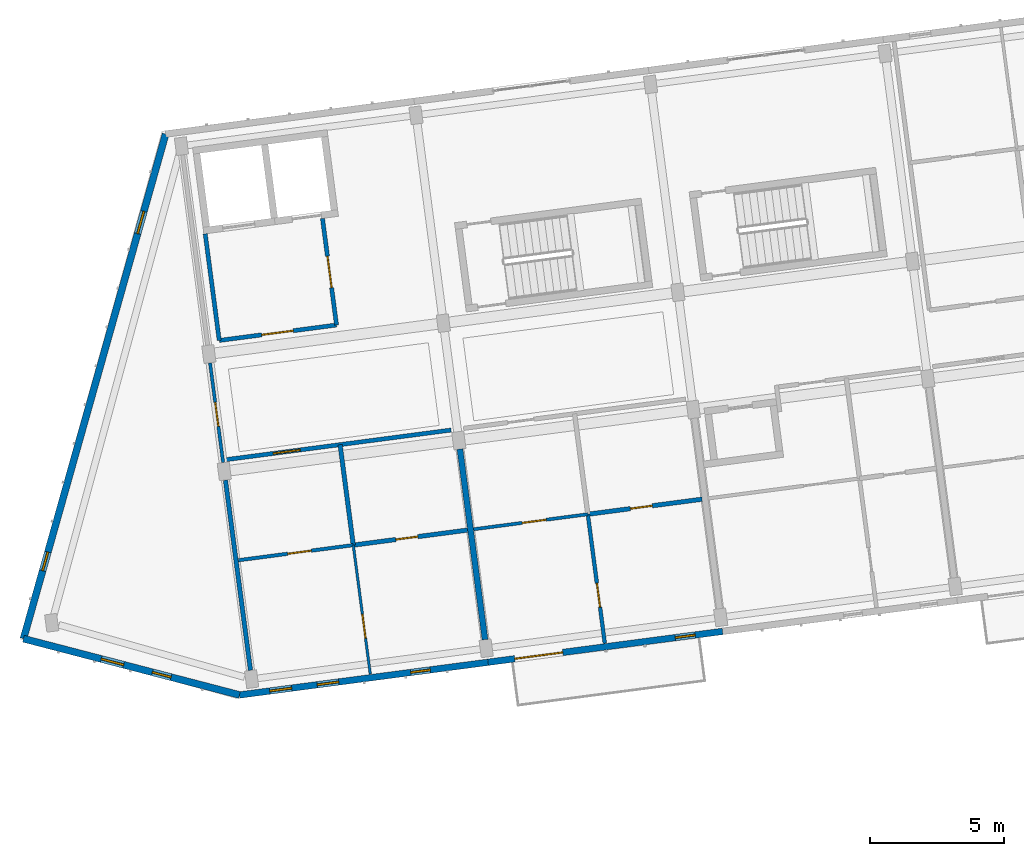
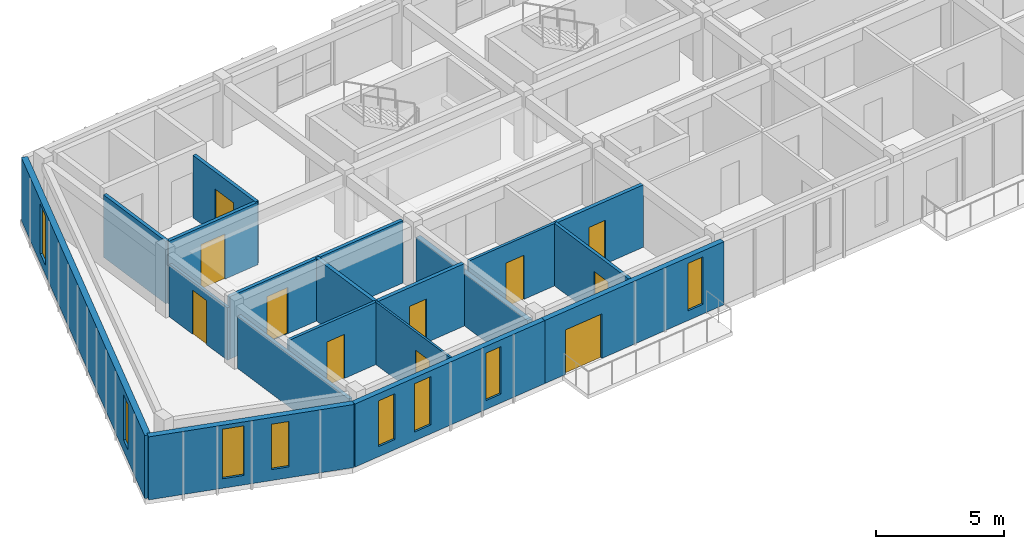
# One storey, part 18 of 45: 18 walls, 11 doors, 8 windows, 19 openings.
"""IFC4 building model written with IfcOpenShell, lengths in metres."""

from ifc_helpers import new_model, si_unit, direction, frame, frame_2d, origin, place, context, subcontext, project, spatial, rectangle, extrude, material, layer, layer_set, type_object, element, fill, save


model = new_model("IFC4")

# Units and contexts
model_context = context("Model", 3, precision=1e-05, world=origin(), true_north=direction((0.0, 1.0)))
body_context = subcontext(model_context, "Body", "Model", "MODEL_VIEW")
ifc_project = project(units=[si_unit("LENGTHUNIT", "METRE"), si_unit("AREAUNIT", "SQUARE_METRE"), si_unit("VOLUMEUNIT", "CUBIC_METRE"), si_unit("PLANEANGLEUNIT", "RADIAN"), si_unit("MASSUNIT", "GRAM", prefix="KILO")], contexts=[model_context])

# Site, building, storey
site_placement = place(None, origin())
site = spatial("IfcSite", under=ifc_project, at=site_placement, CompositionType="ELEMENT")
building_placement = place(site_placement, origin())
building = spatial("IfcBuilding", under=site, at=building_placement, Name="Kestramere Prow Commons", CompositionType="ELEMENT")
storey_placement = place(building_placement, frame((0.0, 0.0, 31.14990234375)))
storey = spatial("IfcBuildingStorey", under=building, at=storey_placement, Name="L09", CompositionType="ELEMENT", Elevation=31.14990234375)

# Wall, openings, windows
ifc_material_1 = material(Name="Weathered Zinc-Titanium Standing-Seam Cladding")
ifc_layer_1 = layer(ifc_material_1, 0.260009765625)
ifc_layer_set_1 = layer_set([ifc_layer_1], Name="Weathered Zinc-Titanium Standing-Seam Cladding")
wall_type_1 = type_object("IfcWallType", Name="EW-PROW-260", PredefinedType="SOLIDWALL", material=ifc_layer_set_1)
wall_1_placement = place(storey_placement, frame((10.748046875, 71.410888671875, 0.0), z_axis=(0.0, 0.0, 1.0), x_axis=(-0.967694955113, 0.252123925577, 0.0)))
wall_1 = element("IfcWall", 1, at=wall_1_placement, inside=storey, type_object=wall_type_1, Name="Block A L09 PRW-S Facet Wall", PredefinedType="SOLIDWALL", context=body_context, shape_type="SweptSolid", body=[
    extrude(rectangle(XDim=8.305419921875, YDim=0.260009765625, at=frame_2d((4.15283203125, 0.0))), origin(), (0.0, 0.0, 1.0), 3.0),
])
opening_1_placement = place(wall_1_placement, frame((2.6298828125, 0.0, 0.52001953125)))
opening_1 = element("IfcOpeningElement", 2, at=opening_1_placement, cuts=wall_1, Name="Opening WN-08", PredefinedType="OPENING", context=body_context, shape_type="SweptSolid", body=[
    extrude(rectangle(XDim=0.719970703125, YDim=2.159912109375, at=frame_2d((0.35986328125, 1.080078125))), frame((0.0, 0.14501953125, 0.0), z_axis=(0.0, -1.0, 0.0), x_axis=(1.0, 0.0, 0.0)), (0.0, 0.0, 1.0), 0.2900390625),
])
opening_2_placement = place(wall_1_placement, frame((4.455322265625, 0.0, 0.449951171875)))
opening_2 = element("IfcOpeningElement", 3, at=opening_2_placement, cuts=wall_1, Name="Opening WN-15", PredefinedType="OPENING", context=body_context, shape_type="SweptSolid", body=[
    extrude(rectangle(XDim=0.860107421875, YDim=2.360107421875, at=frame_2d((0.43017578125, 1.18017578125))), frame((0.0, 0.14501953125, 0.0), z_axis=(0.0, -1.0, 0.0), x_axis=(1.0, 0.0, 0.0)), (0.0, 0.0, 1.0), 0.2900390625),
])
ifc_material_2 = material(Name="Low-E Laminated Double Glazing", Category="glass")
window_type_1 = type_object("IfcWindowType", Name="WN-NAR-720A", PartitioningType="SINGLE_PANEL", PredefinedType="WINDOW", material=ifc_material_2)
window_1_placement = place(opening_1_placement, origin())
window_1 = element("IfcWindow", 4, at=window_1_placement, inside=storey, type_object=window_type_1, Name="WN-A-L09-PRW-S-0", OverallHeight=2.159912109375, OverallWidth=0.719970703125, PartitioningType="SINGLE_PANEL", PredefinedType="WINDOW", context=body_context, shape_type="SweptSolid", body=[
    extrude(rectangle(XDim=0.719970703125, YDim=2.159912109375, at=frame_2d((0.35986328125, 1.080078125))), frame((0.0, 0.030029296875, 0.0), z_axis=(0.0, -1.0, 0.0), x_axis=(1.0, 0.0, 0.0)), (0.0, 0.0, 1.0), 0.06005859375),
])
fill(opening_1, window_1)
window_type_2 = type_object("IfcWindowType", Name="WN-NAR-860A", PartitioningType="DOUBLE_PANEL_VERTICAL", PredefinedType="WINDOW", material=ifc_material_2)
window_2_placement = place(opening_2_placement, origin())
window_2 = element("IfcWindow", 5, at=window_2_placement, inside=storey, type_object=window_type_2, Name="WN-A-L09-PRW-S-1", OverallHeight=2.360107421875, OverallWidth=0.860107421875, PartitioningType="SINGLE_PANEL", PredefinedType="WINDOW", context=body_context, shape_type="SweptSolid", body=[
    extrude(rectangle(XDim=0.860107421875, YDim=2.360107421875, at=frame_2d((0.43017578125, 1.18017578125))), frame((0.0, 0.030029296875, 0.0), z_axis=(0.0, -1.0, 0.0), x_axis=(1.0, 0.0, 0.0)), (0.0, 0.0, 1.0), 0.06005859375),
])
fill(opening_2, window_2)

wall_2_placement = place(storey_placement, frame((2.7109375, 73.5048828125, 0.0), z_axis=(0.0, 0.0, 1.0), x_axis=(0.271165263368, 0.962532804606, 0.0)))
wall_2 = element("IfcWall", 6, at=wall_2_placement, inside=storey, type_object=wall_type_1, Name="Block A L09 PRW-N Facet Wall", PredefinedType="SOLIDWALL", context=body_context, shape_type="SweptSolid", body=[
    extrude(rectangle(XDim=19.5068359375, YDim=0.260009765625, at=frame_2d((9.75341796875, 0.0))), origin(), (0.0, 0.0, 1.0), 3.0),
])
opening_3_placement = place(wall_2_placement, frame((2.6298828125, 0.0, 0.52001953125)))
opening_3 = element("IfcOpeningElement", 7, at=opening_3_placement, cuts=wall_2, Name="Opening WN-08", PredefinedType="OPENING", context=body_context, shape_type="SweptSolid", body=[
    extrude(rectangle(XDim=0.719970703125, YDim=2.159912109375, at=frame_2d((0.35986328125, 1.080078125))), frame((0.0, 0.14501953125, 0.0), z_axis=(0.0, -1.0, 0.0), x_axis=(1.0, 0.0, 0.0)), (0.0, 0.0, 1.0), 0.2900390625),
])
opening_4_placement = place(wall_2_placement, frame((15.656982421875, 0.0, 0.449951171875)))
opening_4 = element("IfcOpeningElement", 8, at=opening_4_placement, cuts=wall_2, Name="Opening WN-15", PredefinedType="OPENING", context=body_context, shape_type="SweptSolid", body=[
    extrude(rectangle(XDim=0.860107421875, YDim=2.360107421875, at=frame_2d((0.43017578125, 1.18017578125))), frame((0.0, 0.14501953125, 0.0), z_axis=(0.0, -1.0, 0.0), x_axis=(1.0, 0.0, 0.0)), (0.0, 0.0, 1.0), 0.2900390625),
])
window_3_placement = place(opening_3_placement, origin())
window_3 = element("IfcWindow", 9, at=window_3_placement, inside=storey, type_object=window_type_1, Name="WN-A-L09-PRW-N-0", OverallHeight=2.159912109375, OverallWidth=0.719970703125, PartitioningType="SINGLE_PANEL", PredefinedType="WINDOW", context=body_context, shape_type="SweptSolid", body=[
    extrude(rectangle(XDim=0.719970703125, YDim=2.159912109375, at=frame_2d((0.35986328125, 1.080078125))), frame((0.0, 0.030029296875, 0.0), z_axis=(0.0, -1.0, 0.0), x_axis=(1.0, 0.0, 0.0)), (0.0, 0.0, 1.0), 0.06005859375),
])
fill(opening_3, window_3)
window_4_placement = place(opening_4_placement, origin())
window_4 = element("IfcWindow", 10, at=window_4_placement, inside=storey, type_object=window_type_2, Name="WN-A-L09-PRW-N-1", OverallHeight=2.360107421875, OverallWidth=0.860107421875, PartitioningType="SINGLE_PANEL", PredefinedType="WINDOW", context=body_context, shape_type="SweptSolid", body=[
    extrude(rectangle(XDim=0.860107421875, YDim=2.360107421875, at=frame_2d((0.43017578125, 1.18017578125))), frame((0.0, 0.030029296875, 0.0), z_axis=(0.0, -1.0, 0.0), x_axis=(1.0, 0.0, 0.0)), (0.0, 0.0, 1.0), 0.06005859375),
])
fill(opening_4, window_4)

ifc_material_3 = material(Name="Fluoropolymer Standing-Seam Zinc-Aluminium Cladding", Category="aluminium")
ifc_layer_2 = layer(ifc_material_3, 0.239990234375)
ifc_layer_set_2 = layer_set([ifc_layer_2], Name="Fluoropolymer Standing-Seam Zinc-Aluminium Cladding")
wall_type_2 = type_object("IfcWallType", Name="EW-SEAM-240", PredefinedType="SOLIDWALL", material=ifc_layer_set_2)
wall_3_placement = place(storey_placement, frame((19.9931640625, 72.628173828125, 0.0), z_axis=(0.0, 0.0, 1.0), x_axis=(-0.991442885224, -0.130541201693, 0.0)))
wall_3 = element("IfcWall", 11, at=wall_3_placement, inside=storey, type_object=wall_type_2, Name="Block A L09 South Standing-Seam Wall 1", PredefinedType="SOLIDWALL", context=body_context, shape_type="SweptSolid", body=[
    extrude(rectangle(XDim=9.324951171875, YDim=0.239990234375, at=frame_2d((4.66259765625, 0.0))), origin(), (0.0, 0.0, 1.0), 3.0),
])
opening_5_placement = place(wall_3_placement, frame((2.162109375, 0.0, 0.419921875)))
opening_5 = element("IfcOpeningElement", 12, at=opening_5_placement, cuts=wall_3, Name="Opening WN-09", PredefinedType="OPENING", context=body_context, shape_type="SweptSolid", body=[
    extrude(rectangle(XDim=0.739990234375, YDim=2.260009765625, at=frame_2d((0.3701171875, 1.1298828125))), frame((0.0, 0.135009765625, 0.0), z_axis=(0.0, -1.0, 0.0), x_axis=(1.0, 0.0, 0.0)), (0.0, 0.0, 1.0), 0.27001953125),
])
opening_6_placement = place(wall_3_placement, frame((5.60400390625, 0.0, 0.419921875)))
opening_6 = element("IfcOpeningElement", 13, at=opening_6_placement, cuts=wall_3, Name="Opening WN-12", PredefinedType="OPENING", context=body_context, shape_type="SweptSolid", body=[
    extrude(rectangle(XDim=0.800048828125, YDim=2.300048828125, at=frame_2d((0.39990234375, 1.14990234375))), frame((0.0, 0.135009765625, 0.0), z_axis=(0.0, -1.0, 0.0), x_axis=(1.0, 0.0, 0.0)), (0.0, 0.0, 1.0), 0.27001953125),
])
opening_7_placement = place(wall_3_placement, frame((7.3701171875, 0.0, 0.47998046875)))
opening_7 = element("IfcOpeningElement", 14, at=opening_7_placement, cuts=wall_3, Name="Opening WN-13", PredefinedType="OPENING", context=body_context, shape_type="SweptSolid", body=[
    extrude(rectangle(XDim=0.820068359375, YDim=2.179931640625, at=frame_2d((0.41015625, 1.08984375))), frame((0.0, 0.135009765625, 0.0), z_axis=(0.0, -1.0, 0.0), x_axis=(1.0, 0.0, 0.0)), (0.0, 0.0, 1.0), 0.27001953125),
])
window_type_3 = type_object("IfcWindowType", Name="WN-NAR-740A", PartitioningType="SINGLE_PANEL", PredefinedType="WINDOW", material=ifc_material_2)
window_5_placement = place(opening_5_placement, origin())
window_5 = element("IfcWindow", 15, at=window_5_placement, inside=storey, type_object=window_type_3, Name="WN-A-L09-S-0-00", OverallHeight=2.260009765625, OverallWidth=0.739990234375, PartitioningType="SINGLE_PANEL", PredefinedType="WINDOW", context=body_context, shape_type="SweptSolid", body=[
    extrude(rectangle(XDim=0.739990234375, YDim=2.260009765625, at=frame_2d((0.3701171875, 1.1298828125))), frame((0.0, 0.030029296875, 0.0), z_axis=(0.0, -1.0, 0.0), x_axis=(1.0, 0.0, 0.0)), (0.0, 0.0, 1.0), 0.06005859375),
])
fill(opening_5, window_5)
window_type_4 = type_object("IfcWindowType", Name="WN-NAR-800A", PartitioningType="SINGLE_PANEL", PredefinedType="WINDOW", material=ifc_material_2)
window_6_placement = place(opening_6_placement, origin())
window_6 = element("IfcWindow", 16, at=window_6_placement, inside=storey, type_object=window_type_4, Name="WN-A-L09-S-0-10", OverallHeight=2.300048828125, OverallWidth=0.800048828125, PartitioningType="SINGLE_PANEL", PredefinedType="WINDOW", context=body_context, shape_type="SweptSolid", body=[
    extrude(rectangle(XDim=0.800048828125, YDim=2.300048828125, at=frame_2d((0.39990234375, 1.14990234375))), frame((0.0, 0.030029296875, 0.0), z_axis=(0.0, -1.0, 0.0), x_axis=(1.0, 0.0, 0.0)), (0.0, 0.0, 1.0), 0.06005859375),
])
fill(opening_6, window_6)
window_type_5 = type_object("IfcWindowType", Name="WN-NAR-820A", PartitioningType="DOUBLE_PANEL_VERTICAL", PredefinedType="WINDOW", material=ifc_material_2)
window_7_placement = place(opening_7_placement, origin())
window_7 = element("IfcWindow", 17, at=window_7_placement, inside=storey, type_object=window_type_5, Name="WN-A-L09-S-0-11", OverallHeight=2.179931640625, OverallWidth=0.820068359375, PartitioningType="SINGLE_PANEL", PredefinedType="WINDOW", context=body_context, shape_type="SweptSolid", body=[
    extrude(rectangle(XDim=0.820068359375, YDim=2.179931640625, at=frame_2d((0.41015625, 1.08984375))), frame((0.0, 0.030029296875, 0.0), z_axis=(0.0, -1.0, 0.0), x_axis=(1.0, 0.0, 0.0)), (0.0, 0.0, 1.0), 0.06005859375),
])
fill(opening_7, window_7)

# Wall, openings, door, window
wall_4_placement = place(storey_placement, frame((28.718017578125, 73.77685546875, 0.0), z_axis=(0.0, 0.0, 1.0), x_axis=(-0.991444377792, -0.130529865336, 0.0)))
wall_4 = element("IfcWall", 18, at=wall_4_placement, inside=storey, type_object=wall_type_2, Name="Block A L09 South Standing-Seam Wall 2", PredefinedType="SOLIDWALL", context=body_context, shape_type="SweptSolid", body=[
    extrude(rectangle(XDim=8.800048828125, YDim=0.239990234375, at=frame_2d((4.39990234375, 0.0))), origin(), (0.0, 0.0, 1.0), 3.0),
])
opening_8_placement = place(wall_4_placement, frame((5.9970703125, 0.0, 0.0)))
opening_8 = element("IfcOpeningElement", 19, at=opening_8_placement, cuts=wall_4, Name="Opening GD-BAL-02", PredefinedType="OPENING", context=body_context, shape_type="SweptSolid", body=[
    extrude(rectangle(XDim=1.800048828125, YDim=2.1201171875, at=frame_2d((0.89990234375, 1.06005859375))), frame((0.0, 0.135009765625, 0.0), z_axis=(0.0, -1.0, 0.0), x_axis=(1.0, 0.0, 0.0)), (0.0, 0.0, 1.0), 0.27001953125),
])
opening_9_placement = place(wall_4_placement, frame((1.030029296875, 0.0, 0.4599609375)))
opening_9 = element("IfcOpeningElement", 20, at=opening_9_placement, cuts=wall_4, Name="Opening WN-09", PredefinedType="OPENING", context=body_context, shape_type="SweptSolid", body=[
    extrude(rectangle(XDim=0.739990234375, YDim=2.260009765625, at=frame_2d((0.3701171875, 1.1298828125))), frame((0.0, 0.135009765625, 0.0), z_axis=(0.0, -1.0, 0.0), x_axis=(1.0, 0.0, 0.0)), (0.0, 0.0, 1.0), 0.27001953125),
])
ifc_material_4 = material(Name="Thermally-Broken Anodised Aluminium Glazed", Category="aluminium")
door_type_1 = type_object("IfcDoorType", Name="GD-BAL-1800", OperationType="SLIDING_TO_LEFT", PredefinedType="DOOR", material=ifc_material_4)
door_1_placement = place(opening_8_placement, origin())
door_1 = element("IfcDoor", 21, at=door_1_placement, inside=storey, type_object=door_type_1, Name="Block A L09 Balcony Door 2", OperationType="SLIDING_TO_LEFT", OverallHeight=2.1201171875, OverallWidth=1.800048828125, PredefinedType="DOOR", context=body_context, shape_type="SweptSolid", body=[
    extrude(rectangle(XDim=1.800048828125, YDim=2.1201171875, at=frame_2d((0.89990234375, 1.06005859375))), frame((0.0, 0.02490234375, 0.0), z_axis=(0.0, -1.0, 0.0), x_axis=(1.0, 0.0, 0.0)), (0.0, 0.0, 1.0), 0.050048828125),
])
fill(opening_8, door_1)
window_8_placement = place(opening_9_placement, origin())
window_8 = element("IfcWindow", 22, at=window_8_placement, inside=storey, type_object=window_type_3, Name="WN-A-L09-SR-1", OverallHeight=2.260009765625, OverallWidth=0.739990234375, PartitioningType="SINGLE_PANEL", PredefinedType="WINDOW", context=body_context, shape_type="SweptSolid", body=[
    extrude(rectangle(XDim=0.739990234375, YDim=2.260009765625, at=frame_2d((0.3701171875, 1.1298828125))), frame((0.0, 0.030029296875, 0.0), z_axis=(0.0, -1.0, 0.0), x_axis=(1.0, 0.0, 0.0)), (0.0, 0.0, 1.0), 0.06005859375),
])
fill(opening_9, window_8)

# Wall, opening, door
ifc_material_5 = material(Name="Fire-Rated Calcium Silicate Wall")
ifc_layer_3 = layer(ifc_material_5, 0.155029296875)
ifc_layer_set_3 = layer_set([ifc_layer_3], Name="Fire-Rated Calcium Silicate Wall")
wall_type_3 = type_object("IfcWallType", Name="W-FIRE-150", PredefinedType="PARTITIONING", material=ifc_layer_set_3)
wall_5_placement = place(storey_placement, frame((9.994873046875, 84.6005859375, 0.0), z_axis=(0.0, 0.0, 1.0), x_axis=(0.991448440179, 0.130499005613, 0.0)))
wall_5 = element("IfcWall", 23, at=wall_5_placement, inside=storey, type_object=wall_type_3, Name="Interior Partition PW-A-L09-FFL-S", PredefinedType="PARTITIONING", context=body_context, shape_type="SweptSolid", body=[
    extrude(rectangle(XDim=4.400146484375, YDim=0.155029296875, at=frame_2d((2.2001953125, 0.0))), origin(), (0.0, 0.0, 1.0), 2.97021484375),
])
opening_10_placement = place(wall_5_placement, frame((1.60009765625, 0.0, 0.0)))
opening_10 = element("IfcOpeningElement", 24, at=opening_10_placement, cuts=wall_5, Name="Opening ID-03", PredefinedType="OPENING", context=body_context, shape_type="SweptSolid", body=[
    extrude(rectangle(XDim=1.179931640625, YDim=2.14990234375, at=frame_2d((0.58984375, 1.074951171875))), frame((0.0, 0.092529296875, 0.0), z_axis=(0.0, -1.0, 0.0), x_axis=(1.0, 0.0, 0.0)), (0.0, 0.0, 1.0), 0.18505859375),
])
ifc_material_6 = material(Name="Fire-Rated Glazed Smoke-Stop Door")
door_type_2 = type_object("IfcDoorType", Name="FD-LB-01", OperationType="NOTDEFINED", PredefinedType="DOOR", material=ifc_material_6)
door_2_placement = place(opening_10_placement, origin())
door_2 = element("IfcDoor", 25, at=door_2_placement, inside=storey, type_object=door_type_2, Name="Interior Door DR-A-L09-FFL", OperationType="SINGLE_SWING_RIGHT", OverallHeight=2.14990234375, OverallWidth=1.179931640625, PredefinedType="DOOR", context=body_context, shape_type="SweptSolid", body=[
    extrude(rectangle(XDim=1.179931640625, YDim=2.14990234375, at=frame_2d((0.58984375, 1.074951171875))), frame((0.0, 0.02490234375, 0.0), z_axis=(0.0, -1.0, 0.0), x_axis=(1.0, 0.0, 0.0)), (0.0, 0.0, 1.0), 0.050048828125),
])
fill(opening_10, door_2)

# Wall
wall_6_placement = place(storey_placement, frame((9.994873046875, 84.6005859375, 0.0), z_axis=(0.0, 0.0, 1.0), x_axis=(-0.130492404742, 0.991449308994, 0.0)))
element("IfcWall", 26, at=wall_6_placement, inside=storey, type_object=wall_type_3, Name="Interior Partition PW-A-L09-FFL-W", PredefinedType="PARTITIONING", context=body_context, shape_type="SweptSolid", body=[
    extrude(rectangle(XDim=4.0, YDim=0.155029296875, at=frame_2d((2.0, 0.0))), origin(), (0.0, 0.0, 1.0), 2.97021484375),
])

# Wall, opening, door
wall_7_placement = place(storey_placement, frame((14.357421875, 85.1748046875, 0.0), z_axis=(0.0, 0.0, 1.0), x_axis=(-0.130552399509, 0.991441410766, 0.0)))
wall_7 = element("IfcWall", 27, at=wall_7_placement, inside=storey, type_object=wall_type_3, Name="Interior Partition PW-A-L09-FFL-E", PredefinedType="PARTITIONING", context=body_context, shape_type="SweptSolid", body=[
    extrude(rectangle(XDim=4.0, YDim=0.155029296875, at=frame_2d((2.0, 0.0))), origin(), (0.0, 0.0, 1.0), 2.97021484375),
])
opening_11_placement = place(wall_7_placement, frame((1.39990234375, 0.0, 0.0)))
opening_11 = element("IfcOpeningElement", 28, at=opening_11_placement, cuts=wall_7, Name="Opening ID-03", PredefinedType="OPENING", context=body_context, shape_type="SweptSolid", body=[
    extrude(rectangle(XDim=1.179931640625, YDim=2.14990234375, at=frame_2d((0.58984375, 1.074951171875))), frame((0.0, 0.092529296875, 0.0), z_axis=(0.0, -1.0, 0.0), x_axis=(1.0, 0.0, 0.0)), (0.0, 0.0, 1.0), 0.18505859375),
])
door_3_placement = place(opening_11_placement, origin())
door_3 = element("IfcDoor", 29, at=door_3_placement, inside=storey, type_object=door_type_2, Name="Interior Door DR-A-L09-FFL-PL", OperationType="SINGLE_SWING_LEFT", OverallHeight=2.14990234375, OverallWidth=1.179931640625, PredefinedType="DOOR", context=body_context, shape_type="SweptSolid", body=[
    extrude(rectangle(XDim=1.179931640625, YDim=2.14990234375, at=frame_2d((0.58984375, 1.074951171875))), frame((0.0, 0.02490234375, 0.0), z_axis=(0.0, -1.0, 0.0), x_axis=(1.0, 0.0, 0.0)), (0.0, 0.0, 1.0), 0.050048828125),
])
fill(opening_11, door_3)

wall_8_placement = place(storey_placement, frame((10.196533203125, 80.158935546875, 0.0), z_axis=(0.0, 0.0, 1.0), x_axis=(0.991447642549, 0.130505065361, 0.0)))
wall_8 = element("IfcWall", 30, at=wall_8_placement, inside=storey, type_object=wall_type_3, Name="Interior Partition PW-A-L09-CS-0", PredefinedType="PARTITIONING", context=body_context, shape_type="SweptSolid", body=[
    extrude(rectangle(XDim=8.4951171875, YDim=0.155029296875, at=frame_2d((4.24755859375, 0.0))), origin(), (0.0, 0.0, 1.0), 2.97021484375),
])
opening_12_placement = place(wall_8_placement, frame((1.820068359375, 0.0, 0.0)))
opening_12 = element("IfcOpeningElement", 31, at=opening_12_placement, cuts=wall_8, Name="Opening ID-05", PredefinedType="OPENING", context=body_context, shape_type="SweptSolid", body=[
    extrude(rectangle(XDim=1.02001953125, YDim=2.199951171875, at=frame_2d((0.510009765625, 1.10009765625))), frame((0.0, 0.092529296875, 0.0), z_axis=(0.0, -1.0, 0.0), x_axis=(1.0, 0.0, 0.0)), (0.0, 0.0, 1.0), 0.18505859375),
])
ifc_material_7 = material(Name="Hardwood Fire-Rated Flat Entrance Door", Category="wood")
door_type_3 = type_object("IfcDoorType", Name="FD-ENT-02", OperationType="NOTDEFINED", PredefinedType="DOOR", material=ifc_material_7)
door_4_placement = place(opening_12_placement, origin())
door_4 = element("IfcDoor", 32, at=door_4_placement, inside=storey, type_object=door_type_3, Name="Interior Door DR-A-L09-ENT-S0", OperationType="SINGLE_SWING_RIGHT", OverallHeight=2.199951171875, OverallWidth=1.02001953125, PredefinedType="DOOR", context=body_context, shape_type="SweptSolid", body=[
    extrude(rectangle(XDim=1.02001953125, YDim=2.199951171875, at=frame_2d((0.510009765625, 1.10009765625))), frame((0.0, 0.02490234375, 0.0), z_axis=(0.0, -1.0, 0.0), x_axis=(1.0, 0.0, 0.0)), (0.0, 0.0, 1.0), 0.050048828125),
])
fill(opening_12, door_4)

ifc_material_8 = material(Name="Lightweight Blockwork and Plaster", Category="masonry")
ifc_layer_4 = layer(ifc_material_8, 0.1201171875)
ifc_layer_set_4 = layer_set([ifc_layer_4], Name="Lightweight Blockwork and Plaster")
wall_type_4 = type_object("IfcWallType", Name="W-PART-120", PredefinedType="PARTITIONING", material=ifc_layer_set_4)
wall_9_placement = place(storey_placement, frame((10.13818359375, 80.0654296875, 0.0), z_axis=(0.0, 0.0, 1.0), x_axis=(-0.130517160134, 0.991446050429, 0.0)))
wall_9 = element("IfcWall", 33, at=wall_9_placement, inside=storey, type_object=wall_type_4, Name="Interior Partition PW-A-L09-PROW-ACC", PredefinedType="PARTITIONING", context=body_context, shape_type="SweptSolid", body=[
    extrude(rectangle(XDim=3.72998046875, YDim=0.1201171875, at=frame_2d((1.864990234375, 0.0))), origin(), (0.0, 0.0, 1.0), 2.5),
])
opening_13_placement = place(wall_9_placement, frame((1.35009765625, 0.0, 0.0)))
opening_13 = element("IfcOpeningElement", 34, at=opening_13_placement, cuts=wall_9, Name="Opening ID-08", PredefinedType="OPENING", context=body_context, shape_type="SweptSolid", body=[
    extrude(rectangle(XDim=0.89990234375, YDim=2.10009765625, at=frame_2d((0.449951171875, 1.050048828125))), frame((0.0, 0.074951171875, 0.0), z_axis=(0.0, -1.0, 0.0), x_axis=(1.0, 0.0, 0.0)), (0.0, 0.0, 1.0), 0.150146484375),
])
ifc_material_9 = material(Name="Engineered Timber Flush Door", Category="wood")
door_type_4 = type_object("IfcDoorType", Name="D-RM-01", OperationType="NOTDEFINED", PredefinedType="DOOR", material=ifc_material_9)
door_5_placement = place(opening_13_placement, origin())
door_5 = element("IfcDoor", 35, at=door_5_placement, inside=storey, type_object=door_type_4, Name="Interior Door DR-A-L09-PROW", OperationType="SINGLE_SWING_LEFT", OverallHeight=2.10009765625, OverallWidth=0.89990234375, PredefinedType="DOOR", context=body_context, shape_type="SweptSolid", body=[
    extrude(rectangle(XDim=0.89990234375, YDim=2.10009765625, at=frame_2d((0.449951171875, 1.050048828125))), frame((0.0, 0.02490234375, 0.0), z_axis=(0.0, -1.0, 0.0), x_axis=(1.0, 0.0, 0.0)), (0.0, 0.0, 1.0), 0.050048828125),
])
fill(opening_13, door_5)

wall_10_placement = place(storey_placement, frame((19.4580078125, 77.57568359375, 0.0), z_axis=(0.0, 0.0, 1.0), x_axis=(0.991451386343, 0.130476620581, 0.0)))
wall_10 = element("IfcWall", 36, at=wall_10_placement, inside=storey, type_object=wall_type_4, Name="Interior Partition PW-A-L09-MIDS1-1", PredefinedType="PARTITIONING", context=body_context, shape_type="SweptSolid", body=[
    extrude(rectangle(XDim=4.284912109375, YDim=0.1201171875, at=frame_2d((2.142578125, 0.0))), origin(), (0.0, 0.0, 1.0), 2.97021484375),
])
opening_14_placement = place(wall_10_placement, frame((1.824951171875, 0.0, 0.0)))
opening_14 = element("IfcOpeningElement", 37, at=opening_14_placement, cuts=wall_10, Name="Opening ID-08", PredefinedType="OPENING", context=body_context, shape_type="SweptSolid", body=[
    extrude(rectangle(XDim=0.89990234375, YDim=2.10009765625, at=frame_2d((0.449951171875, 1.050048828125))), frame((0.0, 0.074951171875, 0.0), z_axis=(0.0, -1.0, 0.0), x_axis=(1.0, 0.0, 0.0)), (0.0, 0.0, 1.0), 0.150146484375),
])
door_6_placement = place(opening_14_placement, origin())
door_6 = element("IfcDoor", 38, at=door_6_placement, inside=storey, type_object=door_type_4, Name="Interior Door DR-A-L09-KL-S1", OperationType="SINGLE_SWING_RIGHT", OverallHeight=2.10009765625, OverallWidth=0.89990234375, PredefinedType="DOOR", context=body_context, shape_type="SweptSolid", body=[
    extrude(rectangle(XDim=0.89990234375, YDim=2.10009765625, at=frame_2d((0.449951171875, 1.050048828125))), frame((0.0, 0.02490234375, 0.0), z_axis=(0.0, -1.0, 0.0), x_axis=(1.0, 0.0, 0.0)), (0.0, 0.0, 1.0), 0.050048828125),
])
fill(opening_14, door_6)

ifc_layer_5 = layer(ifc_material_8, 0.1298828125)
ifc_layer_set_5 = layer_set([ifc_layer_5], Name="Lightweight Blockwork and Plaster")
wall_type_5 = type_object("IfcWallType", Name="W-PART-130", PredefinedType="PARTITIONING", material=ifc_layer_set_5)
wall_11_placement = place(storey_placement, frame((10.70849609375, 76.423583984375, 0.0), z_axis=(0.0, 0.0, 1.0), x_axis=(0.991438863922, 0.130571739306, 0.0)))
wall_11 = element("IfcWall", 39, at=wall_11_placement, inside=storey, type_object=wall_type_5, Name="Interior Partition PW-A-L09-MIDS1-0", PredefinedType="PARTITIONING", context=body_context, shape_type="SweptSolid", body=[
    extrude(rectangle(XDim=4.309814453125, YDim=0.1298828125, at=frame_2d((2.15478515625, 0.0))), origin(), (0.0, 0.0, 1.0), 2.97021484375),
])
opening_15_placement = place(wall_11_placement, frame((1.85009765625, 0.0, 0.0)))
opening_15 = element("IfcOpeningElement", 40, at=opening_15_placement, cuts=wall_11, Name="Opening ID-10", PredefinedType="OPENING", context=body_context, shape_type="SweptSolid", body=[
    extrude(rectangle(XDim=0.8798828125, YDim=2.10009765625, at=frame_2d((0.43994140625, 1.050048828125))), frame((0.0, 0.079833984375, 0.0), z_axis=(0.0, -1.0, 0.0), x_axis=(1.0, 0.0, 0.0)), (0.0, 0.0, 1.0), 0.159912109375),
])
ifc_material_10 = material(Name="Engineered Timber Bedroom Door", Category="wood")
door_type_5 = type_object("IfcDoorType", Name="D-RM-03", OperationType="NOTDEFINED", PredefinedType="DOOR", material=ifc_material_10)
door_7_placement = place(opening_15_placement, origin())
door_7 = element("IfcDoor", 41, at=door_7_placement, inside=storey, type_object=door_type_5, Name="Interior Door DR-A-L09-KL-S0", OperationType="SINGLE_SWING_RIGHT", OverallHeight=2.10009765625, OverallWidth=0.8798828125, PredefinedType="DOOR", context=body_context, shape_type="SweptSolid", body=[
    extrude(rectangle(XDim=0.8798828125, YDim=2.10009765625, at=frame_2d((0.43994140625, 1.050048828125))), frame((0.0, 0.02490234375, 0.0), z_axis=(0.0, -1.0, 0.0), x_axis=(1.0, 0.0, 0.0)), (0.0, 0.0, 1.0), 0.050048828125),
])
fill(opening_15, door_7)

ifc_material_11 = material(Name="Masonry Compartment Wall", Category="masonry")
ifc_layer_6 = layer(ifc_material_11, 0.139892578125)
ifc_layer_set_6 = layer_set([ifc_layer_6], Name="Masonry Compartment Wall")
wall_type_6 = type_object("IfcWallType", Name="W-PART-140", PredefinedType="PARTITIONING", material=ifc_layer_set_6)
wall_12_placement = place(storey_placement, frame((24.337890625, 73.336181640625, 0.0), z_axis=(0.0, 0.0, 1.0), x_axis=(-0.130494962676, 0.991448972321, 0.0)))
wall_12 = element("IfcWall", 42, at=wall_12_placement, inside=storey, type_object=wall_type_6, Name="Interior Partition PW-A-L09-LB-S1", PredefinedType="PARTITIONING", context=body_context, shape_type="SweptSolid", body=[
    extrude(rectangle(XDim=4.840087890625, YDim=0.139892578125, at=frame_2d((2.419921875, 0.0))), origin(), (0.0, 0.0, 1.0), 2.97021484375),
])
opening_16_placement = place(wall_12_placement, frame((1.35009765625, 0.0, 0.0)))
opening_16 = element("IfcOpeningElement", 43, at=opening_16_placement, cuts=wall_12, Name="Opening ID-08", PredefinedType="OPENING", context=body_context, shape_type="SweptSolid", body=[
    extrude(rectangle(XDim=0.89990234375, YDim=2.10009765625, at=frame_2d((0.449951171875, 1.050048828125))), frame((0.0, 0.0849609375, 0.0), z_axis=(0.0, -1.0, 0.0), x_axis=(1.0, 0.0, 0.0)), (0.0, 0.0, 1.0), 0.169921875),
])
door_8_placement = place(opening_16_placement, origin())
door_8 = element("IfcDoor", 44, at=door_8_placement, inside=storey, type_object=door_type_4, Name="Interior Door DR-A-L09-BED-S1", OperationType="SINGLE_SWING_RIGHT", OverallHeight=2.10009765625, OverallWidth=0.89990234375, PredefinedType="DOOR", context=body_context, shape_type="SweptSolid", body=[
    extrude(rectangle(XDim=0.89990234375, YDim=2.10009765625, at=frame_2d((0.449951171875, 1.050048828125))), frame((0.0, 0.02490234375, 0.0), z_axis=(0.0, -1.0, 0.0), x_axis=(1.0, 0.0, 0.0)), (0.0, 0.0, 1.0), 0.050048828125),
])
fill(opening_16, door_8)

ifc_material_12 = material(Name="Gypsum Acoustic Drywall")
ifc_layer_7 = layer(ifc_material_12, 0.094970703125)
ifc_layer_set_7 = layer_set([ifc_layer_7], Name="Gypsum Acoustic Drywall")
wall_type_7 = type_object("IfcWallType", Name="W-PART-95", PredefinedType="PARTITIONING", material=ifc_layer_set_7)
wall_13_placement = place(storey_placement, frame((15.61328125, 72.187744140625, 0.0), z_axis=(0.0, 0.0, 1.0), x_axis=(-0.130544545786, 0.991442444908, 0.0)))
wall_13 = element("IfcWall", 45, at=wall_13_placement, inside=storey, type_object=wall_type_7, Name="Interior Partition PW-A-L09-LB-S0", PredefinedType="PARTITIONING", context=body_context, shape_type="SweptSolid", body=[
    extrude(rectangle(XDim=4.840087890625, YDim=0.094970703125, at=frame_2d((2.419921875, 0.0))), origin(), (0.0, 0.0, 1.0), 2.97021484375),
])
opening_17_placement = place(wall_13_placement, frame((1.35009765625, 0.0, 0.0)))
opening_17 = element("IfcOpeningElement", 46, at=opening_17_placement, cuts=wall_13, Name="Opening ID-08", PredefinedType="OPENING", context=body_context, shape_type="SweptSolid", body=[
    extrude(rectangle(XDim=0.89990234375, YDim=2.10009765625, at=frame_2d((0.449951171875, 1.050048828125))), frame((0.0, 0.0625, 0.0), z_axis=(0.0, -1.0, 0.0), x_axis=(1.0, 0.0, 0.0)), (0.0, 0.0, 1.0), 0.125),
])
door_9_placement = place(opening_17_placement, origin())
door_9 = element("IfcDoor", 47, at=door_9_placement, inside=storey, type_object=door_type_4, Name="Interior Door DR-A-L09-BED-S0", OperationType="SINGLE_SWING_LEFT", OverallHeight=2.10009765625, OverallWidth=0.89990234375, PredefinedType="DOOR", context=body_context, shape_type="SweptSolid", body=[
    extrude(rectangle(XDim=0.89990234375, YDim=2.10009765625, at=frame_2d((0.449951171875, 1.050048828125))), frame((0.0, 0.02490234375, 0.0), z_axis=(0.0, -1.0, 0.0), x_axis=(1.0, 0.0, 0.0)), (0.0, 0.0, 1.0), 0.050048828125),
])
fill(opening_17, door_9)

# Wall
ifc_material_13 = material(Name="Waterproof Sanitary Masonry Wall", Category="masonry")
ifc_layer_8 = layer(ifc_material_13, 0.1650390625)
ifc_layer_set_8 = layer_set([ifc_layer_8], Name="Waterproof Sanitary Masonry Wall")
wall_type_8 = type_object("IfcWallType", Name="W-PLUMB-150", PredefinedType="PLUMBINGWALL", material=ifc_layer_set_8)
wall_14_placement = place(storey_placement, frame((11.15625, 72.33203125, 0.0), z_axis=(0.0, 0.0, 1.0), x_axis=(-0.130526257258, 0.991444852811, 0.0)))
element("IfcWall", 48, at=wall_14_placement, inside=storey, type_object=wall_type_8, Name="Interior Partition PW-A-L09-PRWW-S", PredefinedType="PLUMBINGWALL", context=body_context, shape_type="SweptSolid", body=[
    extrude(rectangle(XDim=7.130126953125, YDim=0.1650390625, at=frame_2d((3.56494140625, 0.0))), origin(), (0.0, 0.0, 1.0), 2.5),
])

# Wall, opening, door
wall_15_placement = place(storey_placement, frame((14.9814453125, 76.986328125, 0.0), z_axis=(0.0, 0.0, 1.0), x_axis=(0.991444014242, 0.130532626667, 0.0)))
wall_15 = element("IfcWall", 49, at=wall_15_placement, inside=storey, type_object=wall_type_8, Name="Interior Partition PW-A-L09-MIDS2-0", PredefinedType="PLUMBINGWALL", context=body_context, shape_type="SweptSolid", body=[
    extrude(rectangle(XDim=4.284912109375, YDim=0.1650390625, at=frame_2d((2.142578125, 0.0))), origin(), (0.0, 0.0, 1.0), 2.97021484375),
])
opening_18_placement = place(wall_15_placement, frame((1.60009765625, 0.0, 0.0)))
opening_18 = element("IfcOpeningElement", 50, at=opening_18_placement, cuts=wall_15, Name="Opening ID-11", PredefinedType="OPENING", context=body_context, shape_type="SweptSolid", body=[
    extrude(rectangle(XDim=0.820068359375, YDim=2.080078125, at=frame_2d((0.41015625, 1.0400390625))), frame((0.0, 0.097412109375, 0.0), z_axis=(0.0, -1.0, 0.0), x_axis=(1.0, 0.0, 0.0)), (0.0, 0.0, 1.0), 0.195068359375),
])
ifc_material_14 = material(Name="Moisture-Resistant Timber Bathroom Door", Category="wood")
door_type_6 = type_object("IfcDoorType", Name="D-BT-01", OperationType="NOTDEFINED", PredefinedType="DOOR", material=ifc_material_14)
door_10_placement = place(opening_18_placement, origin())
door_10 = element("IfcDoor", 51, at=door_10_placement, inside=storey, type_object=door_type_6, Name="Interior Door DR-A-L09-BTH-S0", OperationType="SINGLE_SWING_LEFT", OverallHeight=2.080078125, OverallWidth=0.820068359375, PredefinedType="DOOR", context=body_context, shape_type="SweptSolid", body=[
    extrude(rectangle(XDim=0.820068359375, YDim=2.080078125, at=frame_2d((0.41015625, 1.0400390625))), frame((0.0, 0.02490234375, 0.0), z_axis=(0.0, -1.0, 0.0), x_axis=(1.0, 0.0, 0.0)), (0.0, 0.0, 1.0), 0.050048828125),
])
fill(opening_18, door_10)

# Wall
wall_16_placement = place(storey_placement, frame((14.9814453125, 76.986328125, 0.0), z_axis=(0.0, 0.0, 1.0), x_axis=(-0.130496394248, 0.991448783896, 0.0)))
element("IfcWall", 52, at=wall_16_placement, inside=storey, type_object=wall_type_8, Name="Interior Partition PW-A-L09-KB-S0", PredefinedType="PLUMBINGWALL", context=body_context, shape_type="SweptSolid", body=[
    extrude(rectangle(XDim=3.769775390625, YDim=0.1650390625, at=frame_2d((1.884765625, 0.0))), origin(), (0.0, 0.0, 1.0), 2.97021484375),
])

# Wall, opening, door
wall_17_placement = place(storey_placement, frame((23.706298828125, 78.134765625, 0.0), z_axis=(0.0, 0.0, 1.0), x_axis=(0.991444014242, 0.130532626667, 0.0)))
wall_17 = element("IfcWall", 53, at=wall_17_placement, inside=storey, type_object=wall_type_8, Name="Interior Partition PW-A-L09-MIDS2-1", PredefinedType="PLUMBINGWALL", context=body_context, shape_type="SweptSolid", body=[
    extrude(rectangle(XDim=4.284912109375, YDim=0.1650390625, at=frame_2d((2.142578125, 0.0))), origin(), (0.0, 0.0, 1.0), 2.97021484375),
])
opening_19_placement = place(wall_17_placement, frame((1.60009765625, 0.0, 0.0)))
opening_19 = element("IfcOpeningElement", 54, at=opening_19_placement, cuts=wall_17, Name="Opening ID-11", PredefinedType="OPENING", context=body_context, shape_type="SweptSolid", body=[
    extrude(rectangle(XDim=0.820068359375, YDim=2.080078125, at=frame_2d((0.41015625, 1.0400390625))), frame((0.0, 0.097412109375, 0.0), z_axis=(0.0, -1.0, 0.0), x_axis=(1.0, 0.0, 0.0)), (0.0, 0.0, 1.0), 0.195068359375),
])
door_11_placement = place(opening_19_placement, origin())
door_11 = element("IfcDoor", 55, at=door_11_placement, inside=storey, type_object=door_type_6, Name="Interior Door DR-A-L09-BTH-S1", OperationType="SINGLE_SWING_LEFT", OverallHeight=2.080078125, OverallWidth=0.820068359375, PredefinedType="DOOR", context=body_context, shape_type="SweptSolid", body=[
    extrude(rectangle(XDim=0.820068359375, YDim=2.080078125, at=frame_2d((0.41015625, 1.0400390625))), frame((0.0, 0.02490234375, 0.0), z_axis=(0.0, -1.0, 0.0), x_axis=(1.0, 0.0, 0.0)), (0.0, 0.0, 1.0), 0.050048828125),
])
fill(opening_19, door_11)

# Wall
ifc_material_15 = material(Name="Precast concrete C40/50", Category="concrete")
ifc_layer_9 = layer(ifc_material_15, 0.219970703125)
ifc_layer_set_9 = layer_set([ifc_layer_9], Name="Precast concrete C40/50")
wall_type_9 = type_object("IfcWallType", Name="W-XWALL-220", PredefinedType="SHEAR", material=ifc_layer_set_9)
wall_18_placement = place(storey_placement, frame((19.88232421875, 73.470947265625, 0.0), z_axis=(0.0, 0.0, 1.0), x_axis=(-0.130541958643, 0.991442785557, 0.0)))
element("IfcWall", 56, at=wall_18_placement, inside=storey, type_object=wall_type_9, Name="Block A L09 Precast Cross-Wall 1", PredefinedType="SHEAR", context=body_context, shape_type="SweptSolid", body=[
    extrude(rectangle(XDim=7.14990234375, YDim=0.219970703125, at=frame_2d((3.574951171875, 0.0))), origin(), (0.0, 0.0, 1.0), 2.5),
])

save(model, "model.ifc")
